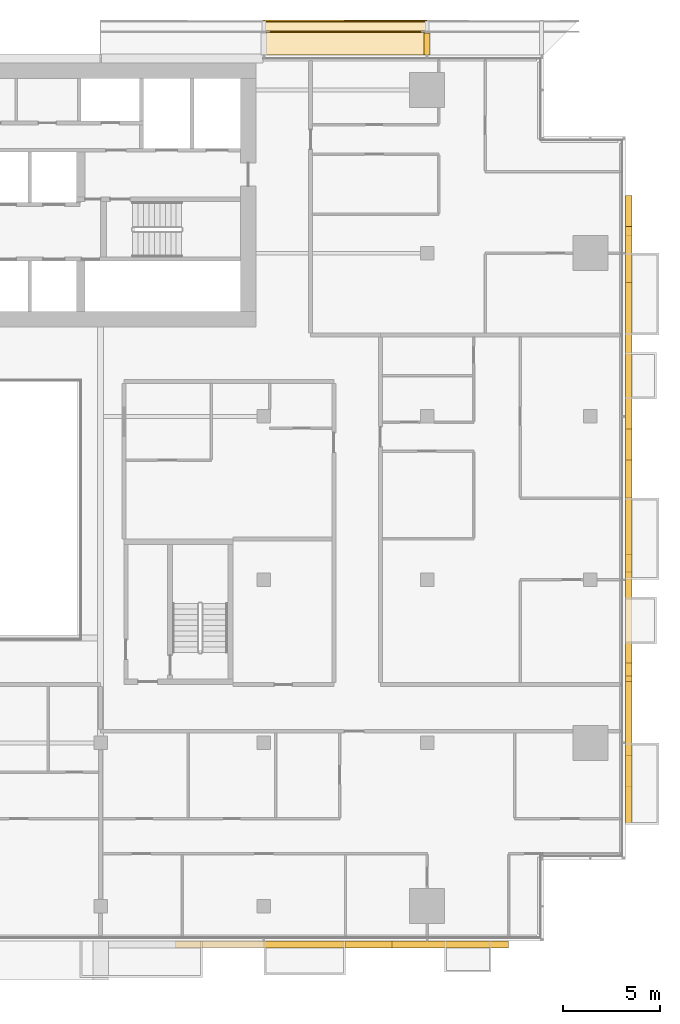
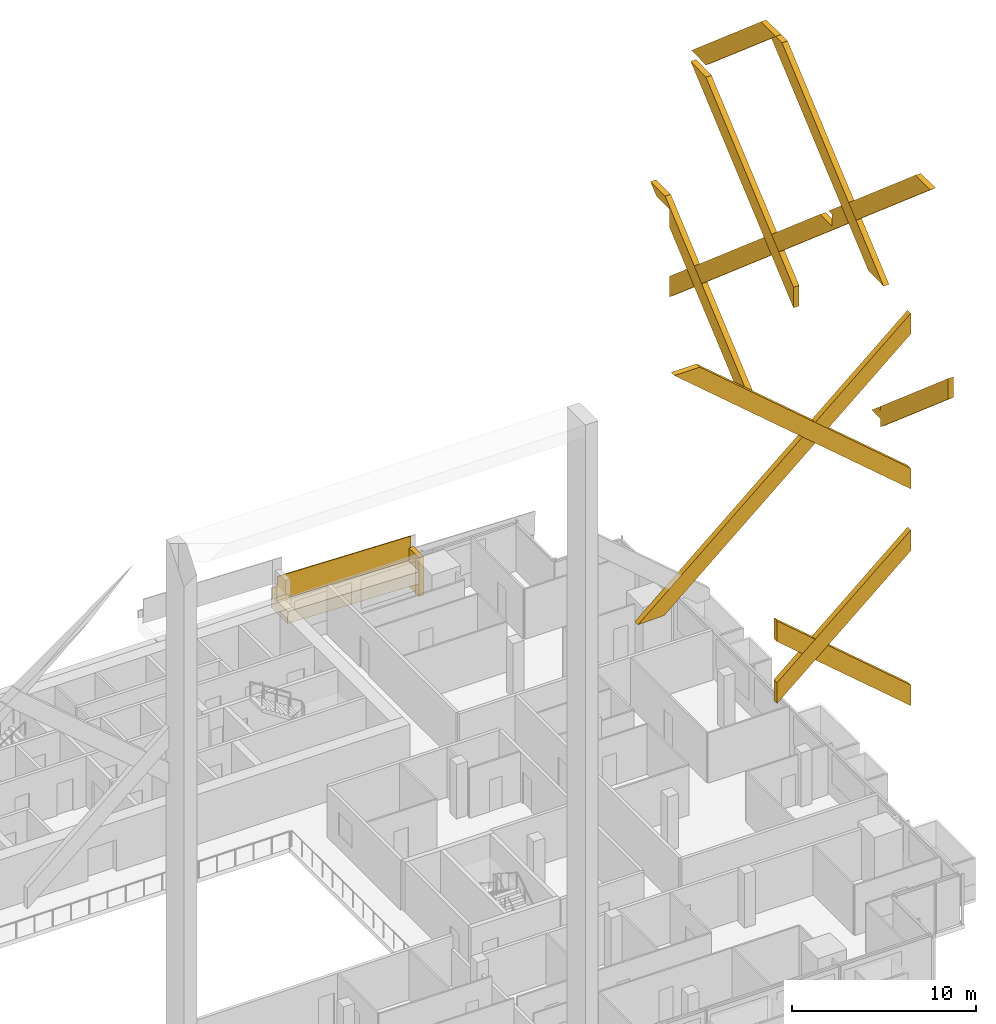
# One storey, part 30 of 31: 13 coverings, 1 railing.
"""IFC4 building model written with IfcOpenShell, lengths in metres."""

from ifc_helpers import new_model, si_unit, direction, frame, origin, origin_2d, place, context, subcontext, project, spatial, polyline, rectangle, outline, extrude, material, layer, layer_set, type_object, element, save


model = new_model("IFC4")

# Units and contexts
model_context = context("Model", 3, precision=1e-05, world=origin(), true_north=direction((0.0, 1.0)))
body_context = subcontext(model_context, "Body", "Model", "MODEL_VIEW")
ifc_project = project(units=[si_unit("LENGTHUNIT", "METRE"), si_unit("AREAUNIT", "SQUARE_METRE"), si_unit("VOLUMEUNIT", "CUBIC_METRE"), si_unit("PLANEANGLEUNIT", "RADIAN"), si_unit("MASSUNIT", "GRAM", prefix="KILO")], contexts=[model_context])

# Site, building, storey
site_placement = place(None, origin())
site = spatial("IfcSite", under=ifc_project, at=site_placement, CompositionType="ELEMENT")
building_placement = place(site_placement, origin())
building = spatial("IfcBuilding", under=site, at=building_placement, Name="Saffron Gate Tower", CompositionType="ELEMENT")
storey_placement = place(building_placement, frame((0.0, 0.0, 147.449951171875)))
storey = spatial("IfcBuildingStorey", under=building, at=storey_placement, Name="L35", CompositionType="ELEMENT", Elevation=147.449951171875)

# Coverings
ifc_material_1 = material(Name="Timber, thermally modified ash", Category="wood")
ifc_layer_1 = layer(ifc_material_1, 0.800048828125)
ifc_layer_set_1 = layer_set([ifc_layer_1], Name="LD1 ledge timber")
covering_type_1 = type_object("IfcCoveringType", Name="LD1 ledge timber", PredefinedType="CLADDING", material=ifc_layer_set_1)
covering_1_placement = place(storey_placement, frame((117.0, 75.60009765625, 1.93017578125), z_axis=(0.028820203882, 0.0, 0.99958461165), x_axis=(-0.99958461165, 0.0, 0.028820203882)))
element("IfcCovering", 1, at=covering_1_placement, inside=storey, type_object=covering_type_1, Name="LEDGE", PredefinedType="CLADDING", context=body_context, shape_type="SweptSolid", body=[
    extrude(outline(polyline([(0.0, 0.0), (8.40339301530596, 0.0), (8.40339301530596, -1.7998046875), (0.0, -1.7998046875), (0.0, 0.0)])), origin(), (0.0, 0.0, -1.0), 0.800048828125),
])
ifc_layer_2 = layer(ifc_material_1, 0.080078125)
ifc_layer_set_2 = layer_set([ifc_layer_2], Name="LD2 ledge planter trough")
covering_type_2 = type_object("IfcCoveringType", Name="LD2 ledge planter trough", PredefinedType="CLADDING", material=ifc_layer_set_2)
covering_2_placement = place(storey_placement, frame((117.0, 77.39990234375, 1.93017578125), z_axis=(0.0, 1.0, 0.0), x_axis=(-0.99958461165, 0.0, 0.028820203882)))
element("IfcCovering", 2, at=covering_2_placement, inside=storey, type_object=covering_type_2, Name="LEDGE planter trough", PredefinedType="CLADDING", context=body_context, shape_type="SweptSolid", body=[
    extrude(outline(polyline([(0.0, 0.0), (8.40339301530596, 0.0), (8.41780311724686, 0.49979230582518264), (0.014410101940899296, 0.49979230582518264), (0.0, 0.0)])), origin(), (0.0, 0.0, -1.0), 0.080078125),
])
ifc_layer_3 = layer(ifc_material_1, 0.300048828125)
ifc_layer_set_3 = layer_set([ifc_layer_3], Name="LD3 ledge riser fin")
covering_type_3 = type_object("IfcCoveringType", Name="LD3 ledge riser fin", PredefinedType="CLADDING", material=ifc_layer_set_3)
covering_3_placement = place(storey_placement, frame((117.0, 76.159912109375, 0.27294921875), z_axis=(0.0, 0.0, 1.0), x_axis=(-1.0, 0.0, 0.0)))
element("IfcCovering", 3, at=covering_3_placement, inside=storey, type_object=covering_type_3, Name="LEDGE riser fin", PredefinedType="CLADDING", context=body_context, shape_type="SweptSolid", body=[
    extrude(rectangle(XDim=0.300048828125, YDim=1.1201171875, at=origin_2d()), origin(), (0.0, 0.0, 1.0), 2.557373046875),
])

# Railing
railing_type = type_object("IfcRailingType", Name="LG1 ledge balustrade", PredefinedType="BALUSTRADE", material=ifc_material_1)
railing_placement = place(storey_placement, frame((117.0, 76.800048828125, 1.93017578125)))
element("IfcRailing", 4, at=railing_placement, inside=storey, type_object=railing_type, Name="LEDGE BALUSTRADE", PredefinedType="BALUSTRADE", context=body_context, shape_type="SweptSolid", body=[
    extrude(rectangle(XDim=0.06005859375, YDim=1.60009765625, at=origin_2d()), frame((0.0, 0.0, 0.800048828125), z_axis=(-0.99958461165, 0.0, 0.028820203882), x_axis=(0.0, -1.0, 0.0)), (0.0, 0.0, 1.0), 8.4033203125),
])

# Coverings
ifc_material_2 = material(Name="Ceramic-printed bronze insulated panel")
ifc_layer_4 = layer(ifc_material_2, 0.35009765625)
ifc_layer_set_4 = layer_set([ifc_layer_4], Name="LZ1 lozenge lattice bar 1600")
covering_type_4 = type_object("IfcCoveringType", Name="LZ1 lozenge lattice bar 1600", PredefinedType="CLADDING", material=ifc_layer_set_4)
covering_4_placement = place(storey_placement, frame((104.0625, 29.64990234375, 30.739501953125), z_axis=(0.0, -1.0, 0.0), x_axis=(0.999586900679, 0.0, 0.028740702688)))
element("IfcCovering", 5, at=covering_4_placement, inside=storey, type_object=covering_type_4, Name="CLADDING lozenge lattice bar", PredefinedType="CLADDING", context=body_context, shape_type="SweptSolid", body=[
    extrude(outline(polyline([(0.0, 0.0), (1.6564459954660578, -6.938893903907228e-18), (17.513129659205774, 12.819583061505876), (17.552549890578614, 14.190598493150024), (0.0, 0.0)])), origin(), (0.0, 0.0, -1.0), 0.35009765625),
])
covering_5_placement = place(storey_placement, frame((112.800048828125, 29.64990234375, 23.82861328125), z_axis=(0.0, -1.0, 0.0), x_axis=(0.0, 0.0, -1.0)))
element("IfcCovering", 6, at=covering_5_placement, inside=storey, type_object=covering_type_4, Name="CLADDING lozenge lattice bar", PredefinedType="CLADDING", context=body_context, shape_type="SweptSolid", body=[
    extrude(outline(polyline([(0.0, 0.0), (1.371337890625, 0.0), (-5.82861328125, 8.39990234375), (-7.199951171875, 8.39990234375), (0.0, 0.0)])), origin(), (0.0, 0.0, -1.0), 0.35009765625),
])
covering_6_placement = place(storey_placement, frame((121.199951171875, 29.64990234375, 20.742919921875), z_axis=(0.0, -1.0, 0.0), x_axis=(-0.759255044656, 0.0, 0.650793190779)))
element("IfcCovering", 7, at=covering_6_placement, inside=storey, type_object=covering_type_4, Name="CLADDING lozenge lattice bar", PredefinedType="CLADDING", context=body_context, shape_type="SweptSolid", body=[
    extrude(outline(polyline([(0.0, 0.0), (11.06334742570805, 0.0), (10.170890064231838, 1.0411952113848493), (-0.892457361476213, 1.041195211384849), (0.0, 0.0)])), origin(), (0.0, 0.0, -1.0), 0.35009765625),
])
covering_7_placement = place(storey_placement, frame((121.199951171875, 29.64990234375, 35.142822265625), z_axis=(0.0, -1.0, 0.0), x_axis=(-0.759255614848, 0.0, 0.650792525558)))
element("IfcCovering", 8, at=covering_7_placement, inside=storey, type_object=covering_type_4, Name="CLADDING lozenge lattice bar", PredefinedType="CLADDING", context=body_context, shape_type="SweptSolid", body=[
    extrude(outline(polyline([(0.0, 0.0), (17.451303277697722, 0.0), (18.666001042369647, 1.0411727099567596), (-0.8924564492334989, 1.0411959933102701), (0.0, 0.0)])), origin(), (0.0, 0.0, -1.0), 0.35009765625),
])
covering_8_placement = place(storey_placement, frame((127.550048828125, 43.0126953125, 37.03955078125), z_axis=(1.0, 0.0, 0.0), x_axis=(0.0, 0.999586900679, 0.028740702688)))
element("IfcCovering", 9, at=covering_8_placement, inside=storey, type_object=covering_type_4, Name="CLADDING lozenge lattice bar", PredefinedType="CLADDING", context=body_context, shape_type="SweptSolid", body=[
    extrude(outline(polyline([(0.0, 0.0), (1.6564459954660578, -6.938893903907228e-18), (12.903886567899956, 9.093338903504753), (11.304693950676016, 9.139319817742246), (0.0, 0.0)])), origin(), (0.0, 0.0, -1.0), 0.35009765625),
])
covering_9_placement = place(storey_placement, frame((127.550048828125, 52.800048828125, 31.028564453125), z_axis=(1.0, 0.0, 0.0), x_axis=(0.0, 0.0, -1.0)))
element("IfcCovering", 10, at=covering_9_placement, inside=storey, type_object=covering_type_4, Name="CLADDING lozenge lattice bar", PredefinedType="CLADDING", context=body_context, shape_type="SweptSolid", body=[
    extrude(outline(polyline([(0.0, 0.0), (1.371337890625, 0.0), (-8.2158203125, 11.18505859375), (-8.168212890625, 9.529296875), (0.0, 0.0)])), origin(), (0.0, 0.0, -1.0), 0.35009765625),
])
covering_10_placement = place(storey_placement, frame((127.550048828125, 57.68994140625, 20.820068359375), z_axis=(1.0, 0.0, 0.0), x_axis=(0.0, 1.0, 0.0)))
element("IfcCovering", 11, at=covering_10_placement, inside=storey, type_object=covering_type_4, Name="CLADDING lozenge lattice bar", PredefinedType="CLADDING", context=body_context, shape_type="SweptSolid", body=[
    extrude(outline(polyline([(0.0, 0.0), (0.360107421875, 0.0), (1.60009765625, 0.0), (8.610107421875, 6.008544921875), (8.610107421875, 7.199951171875), (10.0, 7.199951171875), (10.6767578125, 7.780029296875), (9.07666015625, 7.780029296875), (0.0, 0.0)])), origin(), (0.0, 0.0, -1.0), 0.35009765625),
])
covering_11_placement = place(storey_placement, frame((127.550048828125, 43.35009765625, 27.471435546875), z_axis=(1.0, 0.0, 0.0), x_axis=(0.0, 0.0, 1.0)))
element("IfcCovering", 12, at=covering_11_placement, inside=storey, type_object=covering_type_4, Name="CLADDING lozenge lattice bar", PredefinedType="CLADDING", context=body_context, shape_type="SweptSolid", body=[
    extrude(outline(polyline([(0.0, 0.0), (0.548583984375, 0.0), (0.548583984375, -0.9599609375), (1.128662109375, -0.283203125), (1.128662109375, 0.0), (1.37158203125, 0.0), (7.67138671875, 7.35009765625), (6.300048828125, 7.35009765625), (0.0, 0.0)])), origin(), (0.0, 0.0, -1.0), 0.35009765625),
])
covering_12_placement = place(storey_placement, frame((127.550048828125, 66.300048828125, 22.199951171875), z_axis=(1.0, 0.0, 0.0), x_axis=(0.0, 0.0, 1.0)))
element("IfcCovering", 13, at=covering_12_placement, inside=storey, type_object=covering_type_4, Name="CLADDING lozenge lattice bar", PredefinedType="CLADDING", context=body_context, shape_type="SweptSolid", body=[
    extrude(outline(polyline([(0.0, 0.0), (1.37158203125, 0.0), (15.43798828125, 16.410888671875), (15.40087890625, 17.699951171875), (16.200927734375, 17.699951171875), (16.2119140625, 17.31396484375), (24.300048828125, 26.75), (24.300048828125, 28.35009765625), (0.0, 0.0)])), origin(), (0.0, 0.0, -1.0), 0.35009765625),
])
covering_13_placement = place(storey_placement, frame((127.550048828125, 62.3369140625, 39.996826171875), z_axis=(1.0, 0.0, 0.0), x_axis=(0.0, 0.999583815893, 0.028847790303)))
element("IfcCovering", 14, at=covering_13_placement, inside=storey, type_object=covering_type_4, Name="CLADDING lozenge lattice bar", PredefinedType="CLADDING", context=body_context, shape_type="SweptSolid", body=[
    extrude(outline(polyline([(0.0, 0.0), (1.548740264209261, 0.0), (-5.796722593513867, 6.673173734798159), (-7.396154314549247, 6.719333016449235), (0.0, 0.0)])), origin(), (0.0, 0.0, -1.0), 0.35009765625),
])

save(model, "model.ifc")
